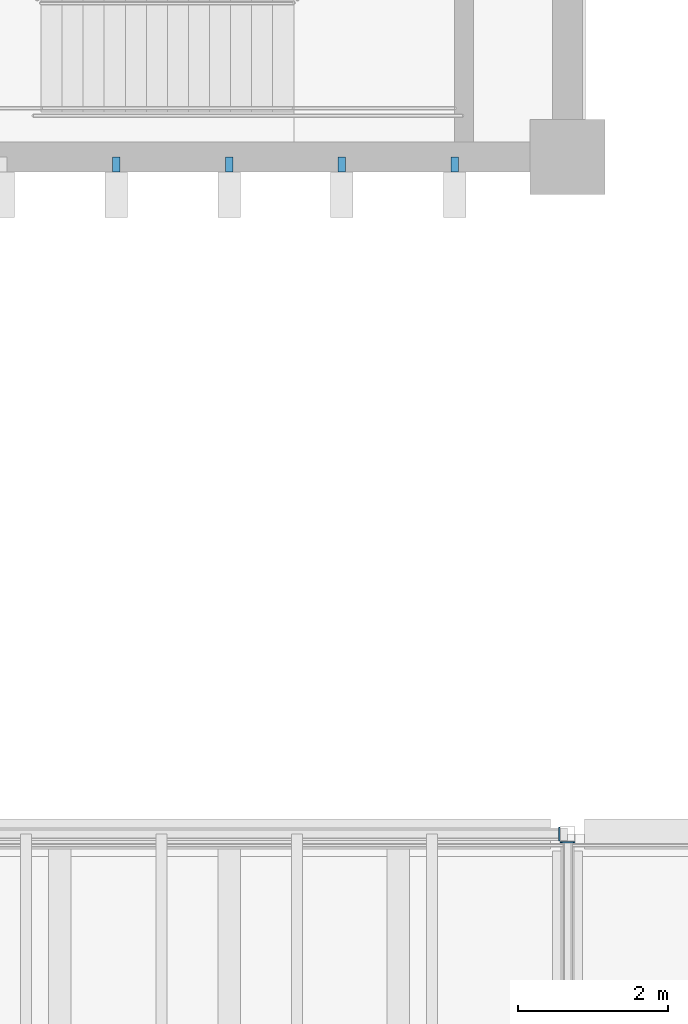
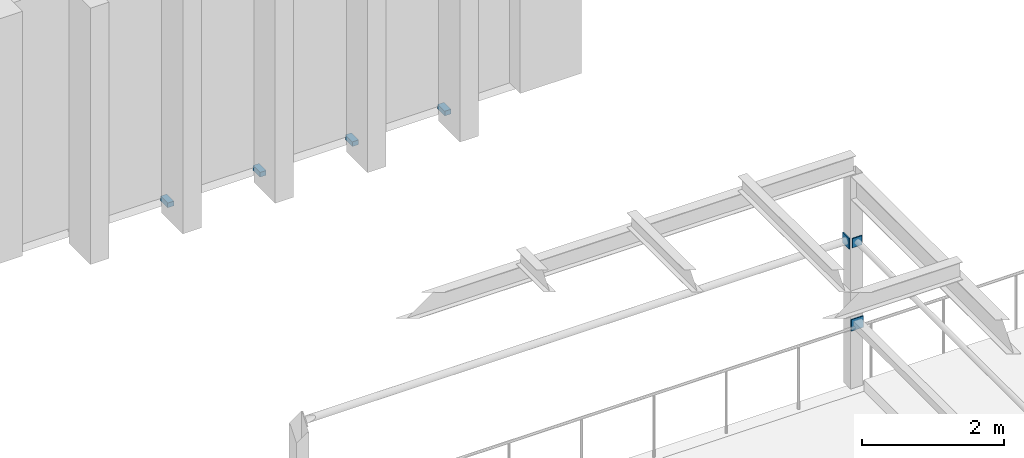
# One storey, part 55 of 74: 7 discrete accessories.
"""IFC4 building model written with IfcOpenShell, lengths in metres."""

from ifc_helpers import new_model, si_unit, direction, frame, origin, place, context, subcontext, project, spatial, polyline, outline, extrude, source, transform, mapped, material, layer, layer_set, type_object, element, save


model = new_model("IFC4")

# Units and contexts
model_context = context("Model", 3, precision=1e-05, world=origin(), true_north=direction((0.0, 1.0)))
body_context = subcontext(model_context, "Body", "Model", "MODEL_VIEW")
ifc_project = project(units=[si_unit("LENGTHUNIT", "METRE"), si_unit("AREAUNIT", "SQUARE_METRE"), si_unit("VOLUMEUNIT", "CUBIC_METRE"), si_unit("PLANEANGLEUNIT", "RADIAN"), si_unit("MASSUNIT", "GRAM", prefix="KILO")], contexts=[model_context])

# Site, building, storey
site_placement = place(None, origin())
site = spatial("IfcSite", under=ifc_project, at=site_placement, CompositionType="ELEMENT")
building_placement = place(site_placement, origin())
building = spatial("IfcBuilding", under=site, at=building_placement, Name="Merrow Basin Faculty of Sciences", CompositionType="ELEMENT")
storey_placement = place(building_placement, frame((0.0, 0.0, 13.5)))
storey = spatial("IfcBuildingStorey", under=building, at=storey_placement, Name="L03", CompositionType="ELEMENT", Elevation=13.5)

# Discrete accessories
ifc_material_1 = material(Name="Steel ASTM A572 Gr 50", Category="steel")
discrete_accessory_type_1 = type_object("IfcDiscreteAccessoryType", Name="Steel T bracket 100 x 80 fin", PredefinedType="BRACKET", material=ifc_material_1)
shared_shape_1 = source(origin(), body_context, "Body", "SweptSolid", [
    extrude(outline(polyline([(0.0, 0.0), (0.10009765625, 0.0), (0.10009765625, 0.080078125), (0.0, 0.080078125), (0.0, 0.0)])), origin(), (0.0, 0.0, 1.0), 0.199951171875),
])
for number, where, z_axis, x_axis, name in (
    (1, (47.949951171875, 142.0, -0.199951171875), (0.0, -1.0, 0.0), (1.0, 0.0, 0.0), "Fin bracket SL03"),
    (2, (49.449951171875, 142.0, -0.199951171875), (0.0, -1.0, 0.0), (1.0, 0.0, 0.0), "Fin bracket SL03"),
    (3, (50.949951171875, 142.0, -0.199951171875), (0.0, -1.0, 0.0), (1.0, 0.0, 0.0), "Fin bracket SL03"),
    (4, (52.449951171875, 142.0, -0.199951171875), (0.0, -1.0, 0.0), (1.0, 0.0, 0.0), "Fin bracket SL03"),
):
    element("IfcDiscreteAccessory", number, at=place(storey_placement, frame(where, z_axis=z_axis, x_axis=x_axis)), inside=storey, type_object=discrete_accessory_type_1, Name=name, PredefinedType="BRACKET", context=body_context, shape_type="MappedRepresentation", body=[
        mapped(shared_shape_1, transform((0.0, 0.0, 0.0), scale=1.0)),
    ])
ifc_material_2 = material(Name="Steel ASTM A572 Gr 50", Category="steel")
ifc_layer_1 = layer(ifc_material_2, 0.01611328125)
ifc_layer_set_1 = layer_set([ifc_layer_1], Name="Steel end plate 197 x 197 x 16")
discrete_accessory_type_2 = type_object("IfcDiscreteAccessoryType", Name="Steel end plate 197 x 197 x 16", PredefinedType="ANCHORPLATE", material=ifc_layer_set_1)
shared_shape_2 = source(origin(), body_context, "Body", "SweptSolid", [
    extrude(outline(polyline([(0.0, 0.0), (0.197021484375, 0.0), (0.197021484375, 0.197021484375), (0.0, 0.197021484375), (0.0, 0.0)])), origin(), (0.0, 0.0, 1.0), 0.01611328125),
])
discrete_accessory_1_placement = place(storey_placement, frame((54.09912109375, 132.883056640625, 1.001953125), z_axis=(0.0, 1.0, 0.0), x_axis=(-1.0, 0.0, 0.0)))
element("IfcDiscreteAccessory", 5, at=discrete_accessory_1_placement, inside=storey, type_object=discrete_accessory_type_2, Name="End plate TK1 L03 034 end", PredefinedType="ANCHORPLATE", context=body_context, shape_type="MappedRepresentation", body=[
    mapped(shared_shape_2, transform((0.0, 0.0, 0.0), scale=1.0)),
])
ifc_material_3 = material(Name="Steel ASTM A572 Gr 50", Category="steel")
ifc_layer_2 = layer(ifc_material_3, 0.01611328125)
ifc_layer_set_2 = layer_set([ifc_layer_2], Name="Steel end plate 184 x 184 x 16")
discrete_accessory_type_3 = type_object("IfcDiscreteAccessoryType", Name="Steel end plate 184 x 184 x 16", PredefinedType="ANCHORPLATE", material=ifc_layer_set_2)
shared_shape_3 = source(origin(), body_context, "Body", "SweptSolid", [
    extrude(outline(polyline([(0.0, 0.0), (0.18408203125, 0.0), (0.18408203125, 0.18408203125), (0.0, 0.18408203125), (0.0, 0.0)])), origin(), (0.0, 0.0, 1.0), 0.01611328125),
])
discrete_accessory_2_placement = place(storey_placement, frame((53.882080078125, 132.907958984375, 2.40087890625), z_axis=(1.0, 0.0, 0.0), x_axis=(0.0, 1.0, 0.0)))
element("IfcDiscreteAccessory", 6, at=discrete_accessory_2_placement, inside=storey, type_object=discrete_accessory_type_3, Name="End plate TB1 L03 026 end", PredefinedType="ANCHORPLATE", context=body_context, shape_type="MappedRepresentation", body=[
    mapped(shared_shape_3, transform((0.0, 0.0, 0.0), scale=1.0)),
])
ifc_material_4 = material(Name="Steel ASTM A572 Gr 50", Category="steel")
ifc_layer_3 = layer(ifc_material_4, 0.01611328125)
ifc_layer_set_3 = layer_set([ifc_layer_3], Name="Steel end plate 159 x 159 x 16")
discrete_accessory_type_4 = type_object("IfcDiscreteAccessoryType", Name="Steel end plate 159 x 159 x 16", PredefinedType="ANCHORPLATE", material=ifc_layer_set_3)
shared_shape_4 = source(origin(), body_context, "Body", "SweptSolid", [
    extrude(outline(polyline([(0.0, 0.0), (0.158935546875, 0.0), (0.158935546875, 0.158935546875), (0.0, 0.158935546875), (0.0, 0.0)])), origin(), (0.0, 0.0, 1.0), 0.01611328125),
])
discrete_accessory_3_placement = place(storey_placement, frame((54.0791015625, 132.883056640625, 2.427001953125), z_axis=(0.0, 1.0, 0.0), x_axis=(-1.0, 0.0, 0.0)))
element("IfcDiscreteAccessory", 7, at=discrete_accessory_3_placement, inside=storey, type_object=discrete_accessory_type_4, Name="End plate TL1 L03 030 end", PredefinedType="ANCHORPLATE", context=body_context, shape_type="MappedRepresentation", body=[
    mapped(shared_shape_4, transform((0.0, 0.0, 0.0), scale=1.0)),
])

save(model, "model.ifc")
